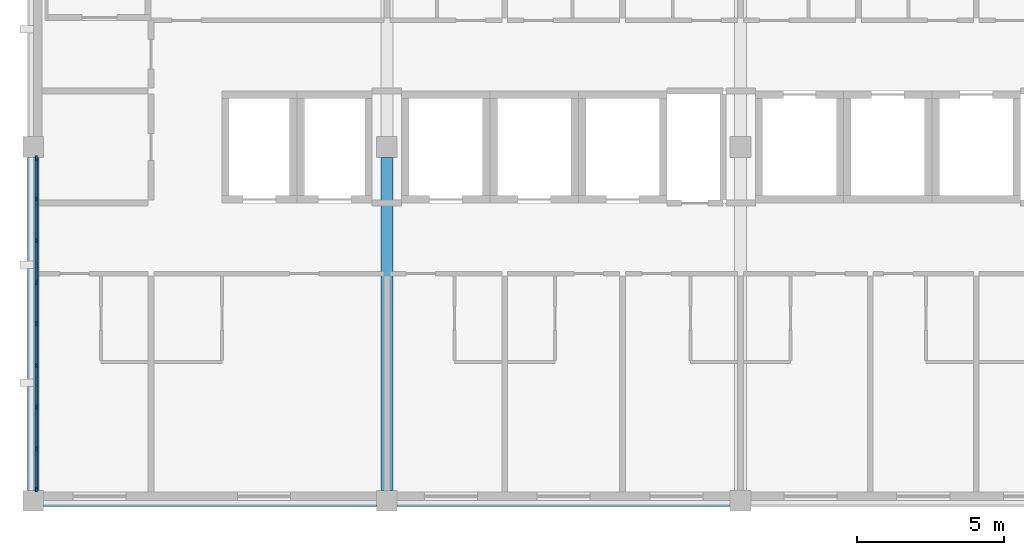
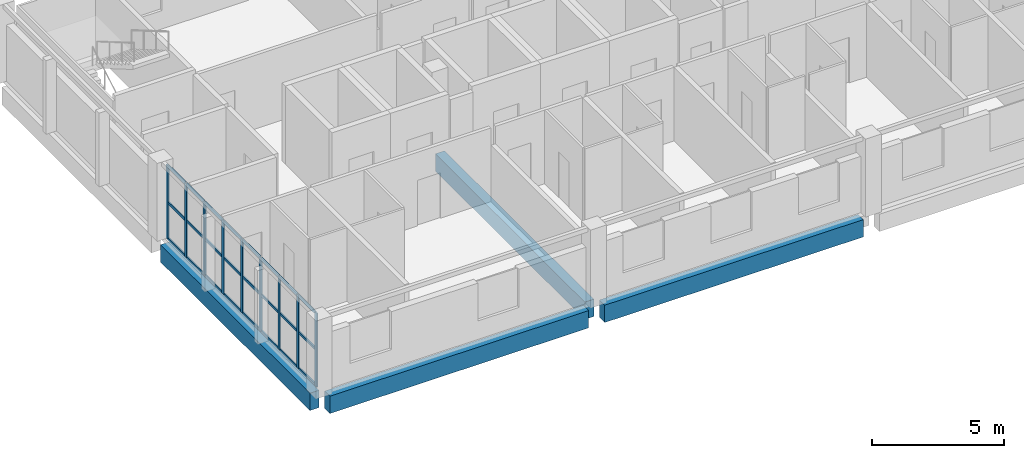
# One storey, part 2 of 11: 33 members, 4 beams, 1 element without a shape of its own.
"""IFC4 building model written with IfcOpenShell, lengths in metres."""

from ifc_helpers import new_model, si_unit, direction, frame, origin, origin_2d, place, context, subcontext, project, spatial, rectangle, extrude, material, layer, layer_set, material_profile, profile_set, type_object, element, aggregate, save


model = new_model("IFC4")

# Units and contexts
model_context = context("Model", 3, precision=1e-05, world=origin(), true_north=direction((0.0, 1.0)))
body_context = subcontext(model_context, "Body", "Model", "MODEL_VIEW")
ifc_project = project(units=[si_unit("LENGTHUNIT", "METRE"), si_unit("AREAUNIT", "SQUARE_METRE"), si_unit("VOLUMEUNIT", "CUBIC_METRE"), si_unit("PLANEANGLEUNIT", "RADIAN"), si_unit("MASSUNIT", "GRAM", prefix="KILO")], contexts=[model_context])

# Site, building, storey
site_placement = place(None, origin())
site = spatial("IfcSite", under=ifc_project, at=site_placement, CompositionType="ELEMENT")
building_placement = place(site_placement, origin())
building = spatial("IfcBuilding", under=site, at=building_placement, Name="Lilac Gate Convention Centre", CompositionType="ELEMENT")
storey_placement = place(building_placement, frame((0.0, 0.0, 53.39990234375)))
storey = spatial("IfcBuildingStorey", under=building, at=storey_placement, Name="L13", CompositionType="ELEMENT", Elevation=53.39990234375)

# Curtain wall, members
ifc_material_1 = material(Name="Aluminium framed double glazing", Category="aluminium")
ifc_layer = layer(ifc_material_1, 0.199951171875)
ifc_layer_set = layer_set([ifc_layer], Name="Aluminium framed double glazing")
curtain_wall_type = type_object("IfcCurtainWallType", Name="Unitised curtain wall 1500", PredefinedType="NOTDEFINED", material=ifc_layer_set)
curtain_wall_placement = place(storey_placement, origin())
curtain_wall = element("IfcCurtainWall", 1, at=curtain_wall_placement, inside=storey, type_object=curtain_wall_type, Name="Curtain wall W L13 2", PredefinedType="NOTDEFINED")
ifc_material_2 = material(Name="Aluminium alloy 6063", Category="aluminium")
ifc_material_profile_1 = material_profile(ifc_material_2, rectangle(XDim=0.06005859375, YDim=0.159912109375, at=origin_2d()), Name="Curtain wall mullion 60 x 160")
ifc_profile_set_1 = profile_set([ifc_material_profile_1], Name="Aluminium alloy 6063")
member_type_1 = type_object("IfcMemberType", Name="Curtain wall mullion 60 x 160", PredefinedType="MULLION", material=ifc_profile_set_1)
member_1_placement = place(storey_placement, frame((42.10009765625, 233.619873046875, 0.0), z_axis=(0.0, 0.0, 1.0), x_axis=(1.0, 0.0, 0.0)))
member_1 = element("IfcMember", 2, at=member_1_placement, type_object=member_type_1, Name="CW mullion 1", PredefinedType="MULLION", context=body_context, shape_type="SweptSolid", body=[
    extrude(rectangle(XDim=0.06005859375, YDim=0.159912109375, at=origin_2d()), origin(), (0.0, 0.0, 1.0), 3.400146484375),
])
member_2_placement = place(storey_placement, frame((42.10009765625, 232.237548828125, 0.0), z_axis=(0.0, 0.0, 1.0), x_axis=(1.0, 0.0, 0.0)))
member_2 = element("IfcMember", 3, at=member_2_placement, type_object=member_type_1, Name="CW mullion 2", PredefinedType="MULLION", context=body_context, shape_type="SweptSolid", body=[
    extrude(rectangle(XDim=0.06005859375, YDim=0.159912109375, at=origin_2d()), origin(), (0.0, 0.0, 1.0), 3.400146484375),
])
member_3_placement = place(storey_placement, frame((42.10009765625, 230.824951171875, 0.0), z_axis=(0.0, 0.0, 1.0), x_axis=(1.0, 0.0, 0.0)))
member_3 = element("IfcMember", 4, at=member_3_placement, type_object=member_type_1, Name="CW mullion 3", PredefinedType="MULLION", context=body_context, shape_type="SweptSolid", body=[
    extrude(rectangle(XDim=0.06005859375, YDim=0.159912109375, at=origin_2d()), origin(), (0.0, 0.0, 1.0), 3.400146484375),
])
member_4_placement = place(storey_placement, frame((42.10009765625, 229.41259765625, 0.0), z_axis=(0.0, 0.0, 1.0), x_axis=(1.0, 0.0, 0.0)))
member_4 = element("IfcMember", 5, at=member_4_placement, type_object=member_type_1, Name="CW mullion 4", PredefinedType="MULLION", context=body_context, shape_type="SweptSolid", body=[
    extrude(rectangle(XDim=0.06005859375, YDim=0.159912109375, at=origin_2d()), origin(), (0.0, 0.0, 1.0), 3.400146484375),
])
member_5_placement = place(storey_placement, frame((42.10009765625, 228.0, 0.0), z_axis=(0.0, 0.0, 1.0), x_axis=(1.0, 0.0, 0.0)))
member_5 = element("IfcMember", 6, at=member_5_placement, type_object=member_type_1, Name="CW mullion 5", PredefinedType="MULLION", context=body_context, shape_type="SweptSolid", body=[
    extrude(rectangle(XDim=0.06005859375, YDim=0.159912109375, at=origin_2d()), origin(), (0.0, 0.0, 1.0), 3.400146484375),
])
member_6_placement = place(storey_placement, frame((42.10009765625, 226.58740234375, 0.0), z_axis=(0.0, 0.0, 1.0), x_axis=(1.0, 0.0, 0.0)))
member_6 = element("IfcMember", 7, at=member_6_placement, type_object=member_type_1, Name="CW mullion 6", PredefinedType="MULLION", context=body_context, shape_type="SweptSolid", body=[
    extrude(rectangle(XDim=0.06005859375, YDim=0.159912109375, at=origin_2d()), origin(), (0.0, 0.0, 1.0), 3.400146484375),
])
member_7_placement = place(storey_placement, frame((42.10009765625, 225.175048828125, 0.0), z_axis=(0.0, 0.0, 1.0), x_axis=(1.0, 0.0, 0.0)))
member_7 = element("IfcMember", 8, at=member_7_placement, type_object=member_type_1, Name="CW mullion 7", PredefinedType="MULLION", context=body_context, shape_type="SweptSolid", body=[
    extrude(rectangle(XDim=0.06005859375, YDim=0.159912109375, at=origin_2d()), origin(), (0.0, 0.0, 1.0), 3.400146484375),
])
member_8_placement = place(storey_placement, frame((42.10009765625, 223.762451171875, 0.0), z_axis=(0.0, 0.0, 1.0), x_axis=(1.0, 0.0, 0.0)))
member_8 = element("IfcMember", 9, at=member_8_placement, type_object=member_type_1, Name="CW mullion 8", PredefinedType="MULLION", context=body_context, shape_type="SweptSolid", body=[
    extrude(rectangle(XDim=0.06005859375, YDim=0.159912109375, at=origin_2d()), origin(), (0.0, 0.0, 1.0), 3.400146484375),
])
member_9_placement = place(storey_placement, frame((42.10009765625, 222.380126953125, 0.0), z_axis=(0.0, 0.0, 1.0), x_axis=(1.0, 0.0, 0.0)))
member_9 = element("IfcMember", 10, at=member_9_placement, type_object=member_type_1, Name="CW mullion 9", PredefinedType="MULLION", context=body_context, shape_type="SweptSolid", body=[
    extrude(rectangle(XDim=0.06005859375, YDim=0.159912109375, at=origin_2d()), origin(), (0.0, 0.0, 1.0), 3.400146484375),
])
ifc_material_profile_2 = material_profile(ifc_material_2, rectangle(XDim=0.06005859375, YDim=0.1201171875, at=origin_2d()), Name="Curtain wall transom 60 x 120")
ifc_profile_set_2 = profile_set([ifc_material_profile_2], Name="Aluminium alloy 6063")
member_type_2 = type_object("IfcMemberType", Name="Curtain wall transom 60 x 120", PredefinedType="USERDEFINED", material=ifc_profile_set_2)
member_10_placement = place(storey_placement, frame((42.10009765625, 233.58984375, 0.030029296875), z_axis=(0.0, -1.0, 0.0), x_axis=(1.0, 0.0, 0.0)))
member_10 = element("IfcMember", 11, at=member_10_placement, type_object=member_type_2, Name="CW transom 1.1", ObjectType="TRANSOM", PredefinedType="USERDEFINED", context=body_context, shape_type="SweptSolid", body=[
    extrude(rectangle(XDim=0.06005859375, YDim=0.1201171875, at=origin_2d()), origin(), (0.0, 0.0, 1.0), 1.322509765625),
])
member_11_placement = place(storey_placement, frame((42.10009765625, 233.58984375, 1.7001953125), z_axis=(0.0, -1.0, 0.0), x_axis=(1.0, 0.0, 0.0)))
member_11 = element("IfcMember", 12, at=member_11_placement, type_object=member_type_2, Name="CW transom 1.2", ObjectType="TRANSOM", PredefinedType="USERDEFINED", context=body_context, shape_type="SweptSolid", body=[
    extrude(rectangle(XDim=0.06005859375, YDim=0.1201171875, at=origin_2d()), origin(), (0.0, 0.0, 1.0), 1.322509765625),
])
member_12_placement = place(storey_placement, frame((42.10009765625, 233.58984375, 3.3701171875), z_axis=(0.0, -1.0, 0.0), x_axis=(1.0, 0.0, 0.0)))
member_12 = element("IfcMember", 13, at=member_12_placement, type_object=member_type_2, Name="CW transom 1.3", ObjectType="TRANSOM", PredefinedType="USERDEFINED", context=body_context, shape_type="SweptSolid", body=[
    extrude(rectangle(XDim=0.06005859375, YDim=0.1201171875, at=origin_2d()), origin(), (0.0, 0.0, 1.0), 1.322509765625),
])
member_13_placement = place(storey_placement, frame((42.10009765625, 232.20751953125, 0.030029296875), z_axis=(0.0, -1.0, 0.0), x_axis=(1.0, 0.0, 0.0)))
member_13 = element("IfcMember", 14, at=member_13_placement, type_object=member_type_2, Name="CW transom 2.1", ObjectType="TRANSOM", PredefinedType="USERDEFINED", context=body_context, shape_type="SweptSolid", body=[
    extrude(rectangle(XDim=0.06005859375, YDim=0.1201171875, at=origin_2d()), origin(), (0.0, 0.0, 1.0), 1.3525390625),
])
member_14_placement = place(storey_placement, frame((42.10009765625, 232.20751953125, 1.7001953125), z_axis=(0.0, -1.0, 0.0), x_axis=(1.0, 0.0, 0.0)))
member_14 = element("IfcMember", 15, at=member_14_placement, type_object=member_type_2, Name="CW transom 2.2", ObjectType="TRANSOM", PredefinedType="USERDEFINED", context=body_context, shape_type="SweptSolid", body=[
    extrude(rectangle(XDim=0.06005859375, YDim=0.1201171875, at=origin_2d()), origin(), (0.0, 0.0, 1.0), 1.3525390625),
])
member_15_placement = place(storey_placement, frame((42.10009765625, 232.20751953125, 3.3701171875), z_axis=(0.0, -1.0, 0.0), x_axis=(1.0, 0.0, 0.0)))
member_15 = element("IfcMember", 16, at=member_15_placement, type_object=member_type_2, Name="CW transom 2.3", ObjectType="TRANSOM", PredefinedType="USERDEFINED", context=body_context, shape_type="SweptSolid", body=[
    extrude(rectangle(XDim=0.06005859375, YDim=0.1201171875, at=origin_2d()), origin(), (0.0, 0.0, 1.0), 1.3525390625),
])
member_16_placement = place(storey_placement, frame((42.10009765625, 230.794921875, 0.030029296875), z_axis=(0.0, -1.0, 0.0), x_axis=(1.0, 0.0, 0.0)))
member_16 = element("IfcMember", 17, at=member_16_placement, type_object=member_type_2, Name="CW transom 3.1", ObjectType="TRANSOM", PredefinedType="USERDEFINED", context=body_context, shape_type="SweptSolid", body=[
    extrude(rectangle(XDim=0.06005859375, YDim=0.1201171875, at=origin_2d()), origin(), (0.0, 0.0, 1.0), 1.3525390625),
])
member_17_placement = place(storey_placement, frame((42.10009765625, 230.794921875, 1.7001953125), z_axis=(0.0, -1.0, 0.0), x_axis=(1.0, 0.0, 0.0)))
member_17 = element("IfcMember", 18, at=member_17_placement, type_object=member_type_2, Name="CW transom 3.2", ObjectType="TRANSOM", PredefinedType="USERDEFINED", context=body_context, shape_type="SweptSolid", body=[
    extrude(rectangle(XDim=0.06005859375, YDim=0.1201171875, at=origin_2d()), origin(), (0.0, 0.0, 1.0), 1.3525390625),
])
member_18_placement = place(storey_placement, frame((42.10009765625, 230.794921875, 3.3701171875), z_axis=(0.0, -1.0, 0.0), x_axis=(1.0, 0.0, 0.0)))
member_18 = element("IfcMember", 19, at=member_18_placement, type_object=member_type_2, Name="CW transom 3.3", ObjectType="TRANSOM", PredefinedType="USERDEFINED", context=body_context, shape_type="SweptSolid", body=[
    extrude(rectangle(XDim=0.06005859375, YDim=0.1201171875, at=origin_2d()), origin(), (0.0, 0.0, 1.0), 1.3525390625),
])
member_19_placement = place(storey_placement, frame((42.10009765625, 229.382568359375, 0.030029296875), z_axis=(0.0, -1.0, 0.0), x_axis=(1.0, 0.0, 0.0)))
member_19 = element("IfcMember", 20, at=member_19_placement, type_object=member_type_2, Name="CW transom 4.1", ObjectType="TRANSOM", PredefinedType="USERDEFINED", context=body_context, shape_type="SweptSolid", body=[
    extrude(rectangle(XDim=0.06005859375, YDim=0.1201171875, at=origin_2d()), origin(), (0.0, 0.0, 1.0), 1.3525390625),
])
member_20_placement = place(storey_placement, frame((42.10009765625, 229.382568359375, 1.7001953125), z_axis=(0.0, -1.0, 0.0), x_axis=(1.0, 0.0, 0.0)))
member_20 = element("IfcMember", 21, at=member_20_placement, type_object=member_type_2, Name="CW transom 4.2", ObjectType="TRANSOM", PredefinedType="USERDEFINED", context=body_context, shape_type="SweptSolid", body=[
    extrude(rectangle(XDim=0.06005859375, YDim=0.1201171875, at=origin_2d()), origin(), (0.0, 0.0, 1.0), 1.3525390625),
])
member_21_placement = place(storey_placement, frame((42.10009765625, 229.382568359375, 3.3701171875), z_axis=(0.0, -1.0, 0.0), x_axis=(1.0, 0.0, 0.0)))
member_21 = element("IfcMember", 22, at=member_21_placement, type_object=member_type_2, Name="CW transom 4.3", ObjectType="TRANSOM", PredefinedType="USERDEFINED", context=body_context, shape_type="SweptSolid", body=[
    extrude(rectangle(XDim=0.06005859375, YDim=0.1201171875, at=origin_2d()), origin(), (0.0, 0.0, 1.0), 1.3525390625),
])
member_22_placement = place(storey_placement, frame((42.10009765625, 227.969970703125, 0.030029296875), z_axis=(0.0, -1.0, 0.0), x_axis=(1.0, 0.0, 0.0)))
member_22 = element("IfcMember", 23, at=member_22_placement, type_object=member_type_2, Name="CW transom 5.1", ObjectType="TRANSOM", PredefinedType="USERDEFINED", context=body_context, shape_type="SweptSolid", body=[
    extrude(rectangle(XDim=0.06005859375, YDim=0.1201171875, at=origin_2d()), origin(), (0.0, 0.0, 1.0), 1.3525390625),
])
member_23_placement = place(storey_placement, frame((42.10009765625, 227.969970703125, 1.7001953125), z_axis=(0.0, -1.0, 0.0), x_axis=(1.0, 0.0, 0.0)))
member_23 = element("IfcMember", 24, at=member_23_placement, type_object=member_type_2, Name="CW transom 5.2", ObjectType="TRANSOM", PredefinedType="USERDEFINED", context=body_context, shape_type="SweptSolid", body=[
    extrude(rectangle(XDim=0.06005859375, YDim=0.1201171875, at=origin_2d()), origin(), (0.0, 0.0, 1.0), 1.3525390625),
])
member_24_placement = place(storey_placement, frame((42.10009765625, 227.969970703125, 3.3701171875), z_axis=(0.0, -1.0, 0.0), x_axis=(1.0, 0.0, 0.0)))
member_24 = element("IfcMember", 25, at=member_24_placement, type_object=member_type_2, Name="CW transom 5.3", ObjectType="TRANSOM", PredefinedType="USERDEFINED", context=body_context, shape_type="SweptSolid", body=[
    extrude(rectangle(XDim=0.06005859375, YDim=0.1201171875, at=origin_2d()), origin(), (0.0, 0.0, 1.0), 1.3525390625),
])
member_25_placement = place(storey_placement, frame((42.10009765625, 226.5576171875, 0.030029296875), z_axis=(0.0, -1.0, 0.0), x_axis=(1.0, 0.0, 0.0)))
member_25 = element("IfcMember", 26, at=member_25_placement, type_object=member_type_2, Name="CW transom 6.1", ObjectType="TRANSOM", PredefinedType="USERDEFINED", context=body_context, shape_type="SweptSolid", body=[
    extrude(rectangle(XDim=0.06005859375, YDim=0.1201171875, at=origin_2d()), origin(), (0.0, 0.0, 1.0), 1.3525390625),
])
member_26_placement = place(storey_placement, frame((42.10009765625, 226.5576171875, 1.7001953125), z_axis=(0.0, -1.0, 0.0), x_axis=(1.0, 0.0, 0.0)))
member_26 = element("IfcMember", 27, at=member_26_placement, type_object=member_type_2, Name="CW transom 6.2", ObjectType="TRANSOM", PredefinedType="USERDEFINED", context=body_context, shape_type="SweptSolid", body=[
    extrude(rectangle(XDim=0.06005859375, YDim=0.1201171875, at=origin_2d()), origin(), (0.0, 0.0, 1.0), 1.3525390625),
])
member_27_placement = place(storey_placement, frame((42.10009765625, 226.5576171875, 3.3701171875), z_axis=(0.0, -1.0, 0.0), x_axis=(1.0, 0.0, 0.0)))
member_27 = element("IfcMember", 28, at=member_27_placement, type_object=member_type_2, Name="CW transom 6.3", ObjectType="TRANSOM", PredefinedType="USERDEFINED", context=body_context, shape_type="SweptSolid", body=[
    extrude(rectangle(XDim=0.06005859375, YDim=0.1201171875, at=origin_2d()), origin(), (0.0, 0.0, 1.0), 1.3525390625),
])
member_28_placement = place(storey_placement, frame((42.10009765625, 225.14501953125, 0.030029296875), z_axis=(0.0, -1.0, 0.0), x_axis=(1.0, 0.0, 0.0)))
member_28 = element("IfcMember", 29, at=member_28_placement, type_object=member_type_2, Name="CW transom 7.1", ObjectType="TRANSOM", PredefinedType="USERDEFINED", context=body_context, shape_type="SweptSolid", body=[
    extrude(rectangle(XDim=0.06005859375, YDim=0.1201171875, at=origin_2d()), origin(), (0.0, 0.0, 1.0), 1.3525390625),
])
member_29_placement = place(storey_placement, frame((42.10009765625, 225.14501953125, 1.7001953125), z_axis=(0.0, -1.0, 0.0), x_axis=(1.0, 0.0, 0.0)))
member_29 = element("IfcMember", 30, at=member_29_placement, type_object=member_type_2, Name="CW transom 7.2", ObjectType="TRANSOM", PredefinedType="USERDEFINED", context=body_context, shape_type="SweptSolid", body=[
    extrude(rectangle(XDim=0.06005859375, YDim=0.1201171875, at=origin_2d()), origin(), (0.0, 0.0, 1.0), 1.3525390625),
])
member_30_placement = place(storey_placement, frame((42.10009765625, 225.14501953125, 3.3701171875), z_axis=(0.0, -1.0, 0.0), x_axis=(1.0, 0.0, 0.0)))
member_30 = element("IfcMember", 31, at=member_30_placement, type_object=member_type_2, Name="CW transom 7.3", ObjectType="TRANSOM", PredefinedType="USERDEFINED", context=body_context, shape_type="SweptSolid", body=[
    extrude(rectangle(XDim=0.06005859375, YDim=0.1201171875, at=origin_2d()), origin(), (0.0, 0.0, 1.0), 1.3525390625),
])
member_31_placement = place(storey_placement, frame((42.10009765625, 223.732666015625, 0.030029296875), z_axis=(0.0, -1.0, 0.0), x_axis=(1.0, 0.0, 0.0)))
member_31 = element("IfcMember", 32, at=member_31_placement, type_object=member_type_2, Name="CW transom 8.1", ObjectType="TRANSOM", PredefinedType="USERDEFINED", context=body_context, shape_type="SweptSolid", body=[
    extrude(rectangle(XDim=0.06005859375, YDim=0.1201171875, at=origin_2d()), origin(), (0.0, 0.0, 1.0), 1.322509765625),
])
member_32_placement = place(storey_placement, frame((42.10009765625, 223.732666015625, 1.7001953125), z_axis=(0.0, -1.0, 0.0), x_axis=(1.0, 0.0, 0.0)))
member_32 = element("IfcMember", 33, at=member_32_placement, type_object=member_type_2, Name="CW transom 8.2", ObjectType="TRANSOM", PredefinedType="USERDEFINED", context=body_context, shape_type="SweptSolid", body=[
    extrude(rectangle(XDim=0.06005859375, YDim=0.1201171875, at=origin_2d()), origin(), (0.0, 0.0, 1.0), 1.322509765625),
])
member_33_placement = place(storey_placement, frame((42.10009765625, 223.732666015625, 3.3701171875), z_axis=(0.0, -1.0, 0.0), x_axis=(1.0, 0.0, 0.0)))
member_33 = element("IfcMember", 34, at=member_33_placement, type_object=member_type_2, Name="CW transom 8.3", ObjectType="TRANSOM", PredefinedType="USERDEFINED", context=body_context, shape_type="SweptSolid", body=[
    extrude(rectangle(XDim=0.06005859375, YDim=0.1201171875, at=origin_2d()), origin(), (0.0, 0.0, 1.0), 1.322509765625),
])
aggregate(curtain_wall, [member_1, member_2, member_3, member_4, member_5, member_6, member_7, member_8, member_9, member_10, member_11, member_12, member_13, member_14, member_15, member_16, member_17, member_18, member_19, member_20, member_21, member_22, member_23, member_24, member_25, member_26, member_27, member_28, member_29, member_30, member_31, member_32, member_33])

# Beams
ifc_material_3 = material(Name="Concrete C40", Category="concrete")
ifc_material_profile_3 = material_profile(ifc_material_3, rectangle(XDim=0.39990234375, YDim=0.800048828125, at=origin_2d()), Name="RC 400x800")
ifc_profile_set_3 = profile_set([ifc_material_profile_3], Name="Concrete C40")
beam_type = type_object("IfcBeamType", Name="Tower primary beam 400x800 C40", PredefinedType="BEAM", material=ifc_profile_set_3)
for number, where, z_axis, x_axis, name in (
    (35, (42.35009765625, 222.0, -0.599853515625), (1.0, 0.0, 0.0), (0.0, 1.0, 0.0), "RB3 L13 4/S-5/S"),
    (36, (54.35009765625, 222.0, -0.599853515625), (1.0, 0.0, 0.0), (0.0, 1.0, 0.0), "RB3 L13 5/S-6/S"),
    (37, (42.0, 222.35009765625, -0.599853515625), (0.0, 1.0, 0.0), (-1.0, 0.0, 0.0), "RB3 L13 4/S-4/T"),
    (38, (54.0, 222.35009765625, -0.599853515625), (0.0, 1.0, 0.0), (-1.0, 0.0, 0.0), "RB3 L13 5/S-5/T"),
):
    element("IfcBeam", number, at=place(storey_placement, frame(where, z_axis=z_axis, x_axis=x_axis)), inside=storey, type_object=beam_type, Name=name, PredefinedType="BEAM", context=body_context, shape_type="SweptSolid", body=[
        extrude(rectangle(XDim=0.39990234375, YDim=0.800048828125, at=origin_2d()), origin(), (0.0, 0.0, 1.0), 11.2998046875),
    ])

save(model, "model.ifc")
